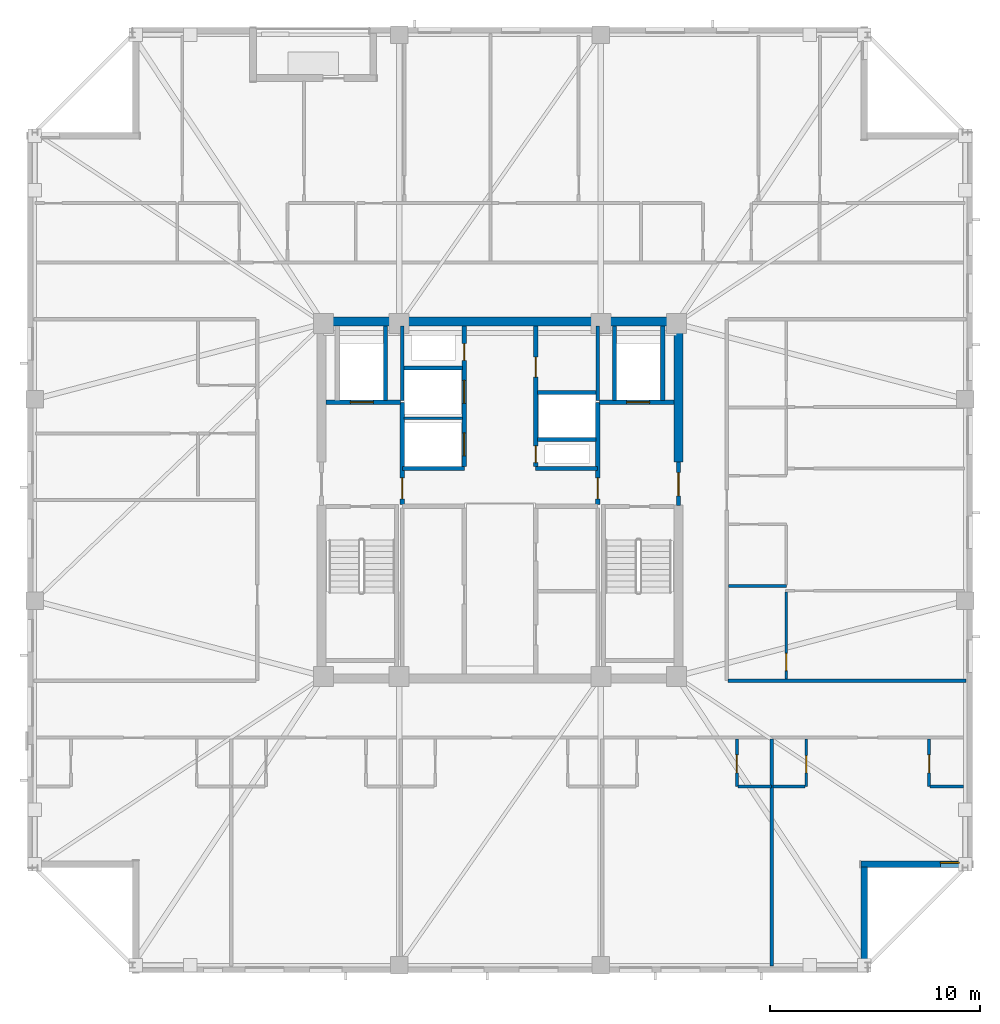
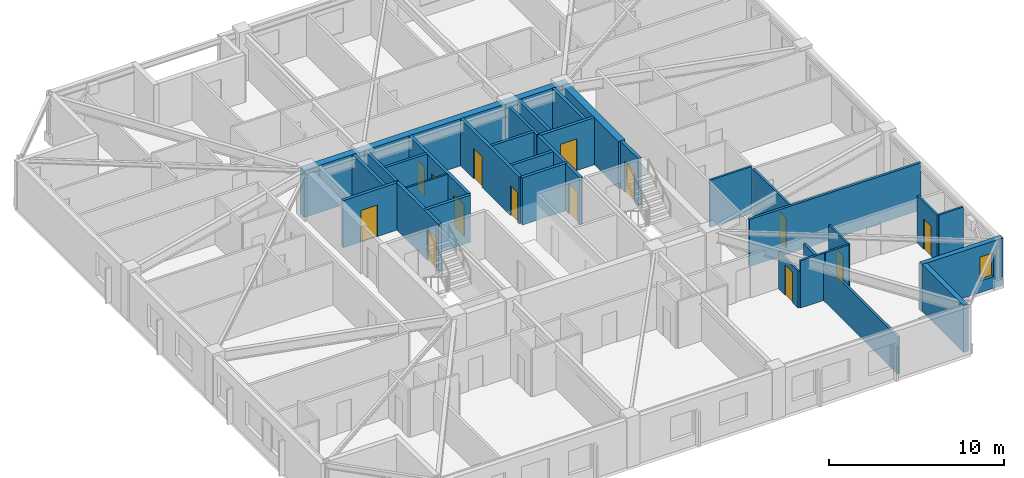
# One storey, part 9 of 17: 32 walls, 14 doors, 1 window, 15 openings.
"""IFC4 building model written with IfcOpenShell, lengths in metres."""

from ifc_helpers import new_model, si_unit, direction, frame, frame_2d, origin, place, context, subcontext, project, spatial, rectangle, extrude, material, layer, layer_set, type_object, element, fill, save


model = new_model("IFC4")

# Units and contexts
model_context = context("Model", 3, precision=1e-05, world=origin(), true_north=direction((0.0, 1.0)))
body_context = subcontext(model_context, "Body", "Model", "MODEL_VIEW")
ifc_project = project(units=[si_unit("LENGTHUNIT", "METRE"), si_unit("AREAUNIT", "SQUARE_METRE"), si_unit("VOLUMEUNIT", "CUBIC_METRE"), si_unit("PLANEANGLEUNIT", "RADIAN"), si_unit("MASSUNIT", "GRAM", prefix="KILO")], contexts=[model_context])

# Site, building, storey
site_placement = place(None, origin())
site = spatial("IfcSite", under=ifc_project, at=site_placement, CompositionType="ELEMENT")
building_placement = place(site_placement, origin())
building = spatial("IfcBuilding", under=site, at=building_placement, Name="Cairnveth Concourse Tower", CompositionType="ELEMENT")
storey_placement = place(building_placement, frame((0.0, 0.0, 220.0)))
storey = spatial("IfcBuildingStorey", under=building, at=storey_placement, Name="L60", CompositionType="ELEMENT", Elevation=220.0)

# Walls
ifc_material_1 = material(Name="Gypsum Plasterboard Partition", Category="gypsum")
ifc_layer_1 = layer(ifc_material_1, 0.159912109375)
ifc_layer_set_1 = layer_set([ifc_layer_1], Name="Gypsum Plasterboard Partition")
wall_type_1 = type_object("IfcWallType", Name="ACOUSTIC PARTY WALL 180", PredefinedType="PARTITIONING", material=ifc_layer_set_1)
wall_1_placement = place(storey_placement, frame((62.864990234375, 30.39990234375, 0.0), z_axis=(0.0, 0.0, 1.0), x_axis=(1.0, 0.0, 0.0)))
element("IfcWall", 1, at=wall_1_placement, inside=storey, type_object=wall_type_1, Name="Interior Wall IW-L60-040", PredefinedType="PARTITIONING", context=body_context, shape_type="SweptSolid", body=[
    extrude(rectangle(XDim=11.330078125, YDim=0.159912109375, at=frame_2d((5.6650390625, 0.0))), origin(), (0.0, 0.0, 1.0), 3.2900390625),
])
wall_2_placement = place(storey_placement, frame((64.93310546875, 16.804931640625, 0.0), z_axis=(0.0, 0.0, 1.0), x_axis=(0.0, 1.0, 0.0)))
element("IfcWall", 2, at=wall_2_placement, inside=storey, type_object=wall_type_1, Name="Interior Wall IW-L60-061", PredefinedType="PARTITIONING", context=body_context, shape_type="SweptSolid", body=[
    extrude(rectangle(XDim=10.80517578125, YDim=0.159912109375, at=frame_2d((5.402587890625, 0.0))), origin(), (0.0, 0.0, 1.0), 2.572998046875),
])
ifc_material_2 = material(Name="Concrete N65 (65 MPa)", Category="concrete")
ifc_layer_2 = layer(ifc_material_2, 0.449951171875)
ifc_layer_set_2 = layer_set([ifc_layer_2], Name="Concrete N65 (65 MPa)")
wall_type_2 = type_object("IfcWallType", Name="CORE SHEAR WALL 450", PredefinedType="SHEAR", material=ifc_layer_set_2)
wall_3_placement = place(storey_placement, frame((43.27490234375, 47.5, 0.0), z_axis=(0.0, 0.0, 1.0), x_axis=(1.0, 0.0, 0.0)))
element("IfcWall", 3, at=wall_3_placement, inside=storey, type_object=wall_type_2, Name="Core North Shear Wall L60", PredefinedType="SHEAR", context=body_context, shape_type="SweptSolid", body=[
    extrude(rectangle(XDim=17.4501953125, YDim=0.449951171875, at=frame_2d((8.72509765625, 0.0))), origin(), (0.0, 0.0, 1.0), 3.2900390625),
])
wall_4_placement = place(storey_placement, frame((60.5, 40.800048828125, 0.0), z_axis=(0.0, 0.0, 1.0), x_axis=(0.0, 1.0, 0.0)))
element("IfcWall", 4, at=wall_4_placement, inside=storey, type_object=wall_type_2, Name="Core East Shear Wall N L60", PredefinedType="SHEAR", context=body_context, shape_type="SweptSolid", body=[
    extrude(rectangle(XDim=6.48486328125, YDim=0.449951171875, at=frame_2d((3.242431640625, 0.0))), origin(), (0.0, 0.0, 1.0), 3.2900390625),
])
ifc_material_3 = material(Name="Concrete N50 (50 MPa)", Category="concrete")
ifc_layer_3 = layer(ifc_material_3, 0.179931640625)
ifc_layer_set_3 = layer_set([ifc_layer_3], Name="Concrete N50 (50 MPa)")
wall_type_3 = type_object("IfcWallType", Name="FIRE SHAFT WALL 180", PredefinedType="SOLIDWALL", material=ifc_layer_set_3)
wall_5_placement = place(storey_placement, frame((47.35009765625, 43.735107421875, 0.0), z_axis=(0.0, 0.0, 1.0), x_axis=(0.0, 1.0, 0.0)))
element("IfcWall", 5, at=wall_5_placement, inside=storey, type_object=wall_type_3, Name="Interior Wall IW-L60-028", PredefinedType="SOLIDWALL", context=body_context, shape_type="SweptSolid", body=[
    extrude(rectangle(XDim=3.554931640625, YDim=0.179931640625, at=frame_2d((1.77734375, 0.0))), origin(), (0.0, 0.0, 1.0), 3.2900390625),
])
wall_6_placement = place(storey_placement, frame((47.425048828125, 45.280029296875, 0.0), z_axis=(0.0, 0.0, 1.0), x_axis=(1.0, 0.0, 0.0)))
element("IfcWall", 6, at=wall_6_placement, inside=storey, type_object=wall_type_3, Name="Interior Wall IW-L60-030", PredefinedType="SOLIDWALL", context=body_context, shape_type="SweptSolid", body=[
    extrude(rectangle(XDim=2.7900390625, YDim=0.179931640625, at=frame_2d((1.39501953125, 0.0))), origin(), (0.0, 0.0, 1.0), 3.2900390625),
])
wall_7_placement = place(storey_placement, frame((56.64990234375, 43.735107421875, 0.0), z_axis=(0.0, 0.0, 1.0), x_axis=(0.0, 1.0, 0.0)))
element("IfcWall", 7, at=wall_7_placement, inside=storey, type_object=wall_type_3, Name="Interior Wall IW-L60-031", PredefinedType="SOLIDWALL", context=body_context, shape_type="SweptSolid", body=[
    extrude(rectangle(XDim=3.554931640625, YDim=0.179931640625, at=frame_2d((1.77734375, 0.0))), origin(), (0.0, 0.0, 1.0), 3.2900390625),
])
wall_8_placement = place(storey_placement, frame((53.784912109375, 41.8798828125, 0.0), z_axis=(0.0, 0.0, 1.0), x_axis=(1.0, 0.0, 0.0)))
element("IfcWall", 8, at=wall_8_placement, inside=storey, type_object=wall_type_3, Name="Interior Wall IW-L60-032", PredefinedType="SOLIDWALL", context=body_context, shape_type="SweptSolid", body=[
    extrude(rectangle(XDim=2.780029296875, YDim=0.179931640625, at=frame_2d((1.39013671875, 0.0))), origin(), (0.0, 0.0, 1.0), 3.2900390625),
])
wall_9_placement = place(storey_placement, frame((53.784912109375, 44.1201171875, 0.0), z_axis=(0.0, 0.0, 1.0), x_axis=(1.0, 0.0, 0.0)))
element("IfcWall", 9, at=wall_9_placement, inside=storey, type_object=wall_type_3, Name="Interior Wall IW-L60-033", PredefinedType="SOLIDWALL", context=body_context, shape_type="SweptSolid", body=[
    extrude(rectangle(XDim=2.7900390625, YDim=0.179931640625, at=frame_2d((1.39501953125, 0.0))), origin(), (0.0, 0.0, 1.0), 3.2900390625),
])
ifc_layer_4 = layer(ifc_material_3, 0.199951171875)
ifc_layer_set_4 = layer_set([ifc_layer_4], Name="Concrete N50 (50 MPa)")
wall_type_4 = type_object("IfcWallType", Name="FIRE SHAFT WALL 200", PredefinedType="SOLIDWALL", material=ifc_layer_set_4)
for number, where, z_axis, x_axis, name in (
    (10, (47.35009765625, 40.5, 0.0), (0.0, 0.0, 1.0), (1.0, 0.0, 0.0), "Interior Wall IW-L60-008"),
    (11, (53.699951171875, 40.5, 0.0), (0.0, 0.0, 1.0), (1.0, 0.0, 0.0), "Interior Wall IW-L60-010"),
):
    element("IfcWall", number, at=place(storey_placement, frame(where, z_axis=z_axis, x_axis=x_axis)), inside=storey, type_object=wall_type_4, Name=name, PredefinedType="SOLIDWALL", context=body_context, shape_type="SweptSolid", body=[
        extrude(rectangle(XDim=2.949951171875, YDim=0.199951171875, at=frame_2d((1.47509765625, 0.0))), origin(), (0.0, 0.0, 1.0), 3.2900390625),
    ])

# Wall, openings, doors
wall_10_placement = place(storey_placement, frame((50.300048828125, 40.5849609375, 0.0), z_axis=(0.0, 0.0, 1.0), x_axis=(0.0, 1.0, 0.0)))
wall_10 = element("IfcWall", 12, at=wall_10_placement, inside=storey, type_object=wall_type_4, Name="Interior Wall IW-L60-013", PredefinedType="SOLIDWALL", context=body_context, shape_type="SweptSolid", body=[
    extrude(rectangle(XDim=6.705078125, YDim=0.199951171875, at=frame_2d((3.3525390625, 0.0))), origin(), (0.0, 0.0, 1.0), 3.2900390625),
])
opening_1_placement = place(wall_10_placement, frame((0.514892578125, 0.0, 0.0)))
opening_1 = element("IfcOpeningElement", 13, at=opening_1_placement, cuts=wall_10, Name="Opening LD-1", PredefinedType="OPENING", context=body_context, shape_type="SweptSolid", body=[
    extrude(rectangle(XDim=1.10009765625, YDim=2.199951171875, at=frame_2d((0.550048828125, 1.10009765625))), frame((0.0, 0.10986328125, 0.0), z_axis=(0.0, -1.0, 0.0), x_axis=(1.0, 0.0, 0.0)), (0.0, 0.0, 1.0), 0.219970703125),
])
opening_2_placement = place(wall_10_placement, frame((3.014892578125, 0.0, 0.0)))
opening_2 = element("IfcOpeningElement", 14, at=opening_2_placement, cuts=wall_10, Name="Opening LD-1", PredefinedType="OPENING", context=body_context, shape_type="SweptSolid", body=[
    extrude(rectangle(XDim=1.10009765625, YDim=2.199951171875, at=frame_2d((0.550048828125, 1.10009765625))), frame((0.0, 0.10986328125, 0.0), z_axis=(0.0, -1.0, 0.0), x_axis=(1.0, 0.0, 0.0)), (0.0, 0.0, 1.0), 0.219970703125),
])
opening_3_placement = place(wall_10_placement, frame((5.06494140625, 0.0, 0.0)))
opening_3 = element("IfcOpeningElement", 15, at=opening_3_placement, cuts=wall_10, Name="Opening ID24", PredefinedType="OPENING", context=body_context, shape_type="SweptSolid", body=[
    extrude(rectangle(XDim=0.800048828125, YDim=2.080078125, at=frame_2d((0.39990234375, 1.0400390625))), frame((0.0, 0.10986328125, 0.0), z_axis=(0.0, -1.0, 0.0), x_axis=(1.0, 0.0, 0.0)), (0.0, 0.0, 1.0), 0.219970703125),
])
ifc_material_4 = material(Name="Architectural Bronze Anodised Aluminium 6063-T6", Category="aluminium")
door_type_1 = type_object("IfcDoorType", Name="LIFT LANDING DOOR 1100X2200", OperationType="SLIDING_TO_LEFT", PredefinedType="DOOR", material=ifc_material_4)
door_1_placement = place(opening_1_placement, origin())
door_1 = element("IfcDoor", 16, at=door_1_placement, inside=storey, type_object=door_type_1, Name="Lift PL7 Landing Door L60", OperationType="SLIDING_TO_LEFT", OverallHeight=2.199951171875, OverallWidth=1.10009765625, PredefinedType="DOOR", context=body_context, shape_type="SweptSolid", body=[
    extrude(rectangle(XDim=1.10009765625, YDim=2.199951171875, at=frame_2d((0.550048828125, 1.10009765625))), frame((0.0, 0.02490234375, 0.0), z_axis=(0.0, -1.0, 0.0), x_axis=(1.0, 0.0, 0.0)), (0.0, 0.0, 1.0), 0.050048828125),
])
fill(opening_1, door_1)
door_2_placement = place(opening_2_placement, origin())
door_2 = element("IfcDoor", 17, at=door_2_placement, inside=storey, type_object=door_type_1, Name="Lift PL8 Landing Door L60", OperationType="SLIDING_TO_LEFT", OverallHeight=2.199951171875, OverallWidth=1.10009765625, PredefinedType="DOOR", context=body_context, shape_type="SweptSolid", body=[
    extrude(rectangle(XDim=1.10009765625, YDim=2.199951171875, at=frame_2d((0.550048828125, 1.10009765625))), frame((0.0, 0.02490234375, 0.0), z_axis=(0.0, -1.0, 0.0), x_axis=(1.0, 0.0, 0.0)), (0.0, 0.0, 1.0), 0.050048828125),
])
fill(opening_2, door_2)
ifc_material_5 = material(Name="Steel Grade 350", Category="steel")
door_type_2 = type_object("IfcDoorType", Name="RISER ACCESS DOOR 800X2100", OperationType="NOTDEFINED", PredefinedType="DOOR", material=ifc_material_5)
door_3_placement = place(opening_3_placement, origin())
door_3 = element("IfcDoor", 18, at=door_3_placement, inside=storey, type_object=door_type_2, Name="NW Electrical Riser Access Door L60", OperationType="SINGLE_SWING_RIGHT", OverallHeight=2.080078125, OverallWidth=0.800048828125, PredefinedType="DOOR", context=body_context, shape_type="SweptSolid", body=[
    extrude(rectangle(XDim=0.800048828125, YDim=2.080078125, at=frame_2d((0.39990234375, 1.0400390625))), frame((0.0, 0.02490234375, 0.0), z_axis=(0.0, -1.0, 0.0), x_axis=(1.0, 0.0, 0.0)), (0.0, 0.0, 1.0), 0.050048828125),
])
fill(opening_3, door_3)

wall_11_placement = place(storey_placement, frame((53.699951171875, 40.5849609375, 0.0), z_axis=(0.0, 0.0, 1.0), x_axis=(0.0, 1.0, 0.0)))
wall_11 = element("IfcWall", 19, at=wall_11_placement, inside=storey, type_object=wall_type_4, Name="Interior Wall IW-L60-014", PredefinedType="SOLIDWALL", context=body_context, shape_type="SweptSolid", body=[
    extrude(rectangle(XDim=6.705078125, YDim=0.199951171875, at=frame_2d((3.3525390625, 0.0))), origin(), (0.0, 0.0, 1.0), 3.2900390625),
])
opening_4_placement = place(wall_11_placement, frame((0.195068359375, 0.0, 0.0)))
opening_4 = element("IfcOpeningElement", 20, at=opening_4_placement, cuts=wall_11, Name="Opening ID24", PredefinedType="OPENING", context=body_context, shape_type="SweptSolid", body=[
    extrude(rectangle(XDim=0.800048828125, YDim=2.080078125, at=frame_2d((0.39990234375, 1.0400390625))), frame((0.0, 0.10986328125, 0.0), z_axis=(0.0, -1.0, 0.0), x_axis=(1.0, 0.0, 0.0)), (0.0, 0.0, 1.0), 0.219970703125),
])
opening_5_placement = place(wall_11_placement, frame((4.264892578125, 0.0, 0.0)))
opening_5 = element("IfcOpeningElement", 21, at=opening_5_placement, cuts=wall_11, Name="Opening ID25", PredefinedType="OPENING", context=body_context, shape_type="SweptSolid", body=[
    extrude(rectangle(XDim=0.949951171875, YDim=2.1201171875, at=frame_2d((0.47509765625, 1.06005859375))), frame((0.0, 0.10986328125, 0.0), z_axis=(0.0, -1.0, 0.0), x_axis=(1.0, 0.0, 0.0)), (0.0, 0.0, 1.0), 0.219970703125),
])
door_type_3 = type_object("IfcDoorType", Name="CORE ACCESSIBLE FIRE DOOR 950X2120", OperationType="NOTDEFINED", PredefinedType="DOOR", material=ifc_material_5)
door_4_placement = place(opening_5_placement, origin())
door_4 = element("IfcDoor", 22, at=door_4_placement, inside=storey, type_object=door_type_3, Name="Core NE Accessible WC Door L60", OperationType="SINGLE_SWING_RIGHT", OverallHeight=2.1201171875, OverallWidth=0.949951171875, PredefinedType="DOOR", context=body_context, shape_type="SweptSolid", body=[
    extrude(rectangle(XDim=0.949951171875, YDim=2.1201171875, at=frame_2d((0.47509765625, 1.06005859375))), frame((0.0, 0.02490234375, 0.0), z_axis=(0.0, -1.0, 0.0), x_axis=(1.0, 0.0, 0.0)), (0.0, 0.0, 1.0), 0.050048828125),
])
fill(opening_5, door_4)
door_5_placement = place(opening_4_placement, origin())
door_5 = element("IfcDoor", 23, at=door_5_placement, inside=storey, type_object=door_type_2, Name="Hydraulic Riser Door L60", OperationType="SINGLE_SWING_LEFT", OverallHeight=2.080078125, OverallWidth=0.800048828125, PredefinedType="DOOR", context=body_context, shape_type="SweptSolid", body=[
    extrude(rectangle(XDim=0.800048828125, YDim=2.080078125, at=frame_2d((0.39990234375, 1.0400390625))), frame((0.0, 0.02490234375, 0.0), z_axis=(0.0, -1.0, 0.0), x_axis=(1.0, 0.0, 0.0)), (0.0, 0.0, 1.0), 0.050048828125),
])
fill(opening_4, door_5)

# Wall, opening, door
wall_12_placement = place(storey_placement, frame((47.35009765625, 38.784912109375, 0.0), z_axis=(0.0, 0.0, 1.0), x_axis=(0.0, 1.0, 0.0)))
wall_12 = element("IfcWall", 24, at=wall_12_placement, inside=storey, type_object=wall_type_4, Name="Interior Wall IW-L60-016", PredefinedType="SOLIDWALL", context=body_context, shape_type="SweptSolid", body=[
    extrude(rectangle(XDim=4.864990234375, YDim=0.199951171875, at=frame_2d((2.4326171875, 0.0))), origin(), (0.0, 0.0, 1.0), 3.2900390625),
])
opening_6_placement = place(wall_12_placement, frame((0.264892578125, 0.0, 0.0)))
opening_6 = element("IfcOpeningElement", 25, at=opening_6_placement, cuts=wall_12, Name="Opening ID07", PredefinedType="OPENING", context=body_context, shape_type="SweptSolid", body=[
    extrude(rectangle(XDim=1.0, YDim=2.14990234375, at=frame_2d((0.5, 1.074951171875))), frame((0.0, 0.10986328125, 0.0), z_axis=(0.0, -1.0, 0.0), x_axis=(1.0, 0.0, 0.0)), (0.0, 0.0, 1.0), 0.219970703125),
])
door_type_4 = type_object("IfcDoorType", Name="FIRE CORRIDOR DOOR 1000X2150", OperationType="NOTDEFINED", PredefinedType="DOOR", material=ifc_material_5)
door_6_placement = place(opening_6_placement, origin())
door_6 = element("IfcDoor", 26, at=door_6_placement, inside=storey, type_object=door_type_4, Name="FF Lobby West to Lift Lobby Door L60", OperationType="SINGLE_SWING_RIGHT", OverallHeight=2.14990234375, OverallWidth=1.0, PredefinedType="DOOR", context=body_context, shape_type="SweptSolid", body=[
    extrude(rectangle(XDim=1.0, YDim=2.14990234375, at=frame_2d((0.5, 1.074951171875))), frame((0.0, 0.02490234375, 0.0), z_axis=(0.0, -1.0, 0.0), x_axis=(1.0, 0.0, 0.0)), (0.0, 0.0, 1.0), 0.050048828125),
])
fill(opening_6, door_6)

wall_13_placement = place(storey_placement, frame((43.7099609375, 43.64990234375, 0.0), z_axis=(0.0, 0.0, 1.0), x_axis=(1.0, 0.0, 0.0)))
wall_13 = element("IfcWall", 27, at=wall_13_placement, inside=storey, type_object=wall_type_4, Name="Interior Wall IW-L60-017", PredefinedType="SOLIDWALL", context=body_context, shape_type="SweptSolid", body=[
    extrude(rectangle(XDim=3.554931640625, YDim=0.199951171875, at=frame_2d((1.77734375, 0.0))), origin(), (0.0, 0.0, 1.0), 3.2900390625),
])
opening_7_placement = place(wall_13_placement, frame((1.159912109375, 0.0, 0.0)))
opening_7 = element("IfcOpeningElement", 28, at=opening_7_placement, cuts=wall_13, Name="Opening LD-1", PredefinedType="OPENING", context=body_context, shape_type="SweptSolid", body=[
    extrude(rectangle(XDim=1.10009765625, YDim=2.199951171875, at=frame_2d((0.550048828125, 1.10009765625))), frame((0.0, 0.10986328125, 0.0), z_axis=(0.0, -1.0, 0.0), x_axis=(1.0, 0.0, 0.0)), (0.0, 0.0, 1.0), 0.219970703125),
])
door_7_placement = place(opening_7_placement, origin())
door_7 = element("IfcDoor", 29, at=door_7_placement, inside=storey, type_object=door_type_1, Name="Lift FFL1 Landing Door L60", OperationType="SLIDING_TO_LEFT", OverallHeight=2.199951171875, OverallWidth=1.10009765625, PredefinedType="DOOR", context=body_context, shape_type="SweptSolid", body=[
    extrude(rectangle(XDim=1.10009765625, YDim=2.199951171875, at=frame_2d((0.550048828125, 1.10009765625))), frame((0.0, 0.02490234375, 0.0), z_axis=(0.0, -1.0, 0.0), x_axis=(1.0, 0.0, 0.0)), (0.0, 0.0, 1.0), 0.050048828125),
])
fill(opening_7, door_7)

# Wall
wall_14_placement = place(storey_placement, frame((46.550048828125, 43.735107421875, 0.0), z_axis=(0.0, 0.0, 1.0), x_axis=(0.0, 1.0, 0.0)))
element("IfcWall", 30, at=wall_14_placement, inside=storey, type_object=wall_type_4, Name="Interior Wall IW-L60-018", PredefinedType="SOLIDWALL", context=body_context, shape_type="SweptSolid", body=[
    extrude(rectangle(XDim=3.554931640625, YDim=0.199951171875, at=frame_2d((1.77734375, 0.0))), origin(), (0.0, 0.0, 1.0), 3.2900390625),
])

# Wall, opening, door
wall_15_placement = place(storey_placement, frame((60.5, 38.75, 0.0), z_axis=(0.0, 0.0, 1.0), x_axis=(0.0, 1.0, 0.0)))
wall_15 = element("IfcWall", 31, at=wall_15_placement, inside=storey, type_object=wall_type_4, Name="Interior Wall IW-L60-020", PredefinedType="SOLIDWALL", context=body_context, shape_type="SweptSolid", body=[
    extrude(rectangle(XDim=2.050048828125, YDim=0.199951171875, at=frame_2d((1.02490234375, 0.0))), origin(), (0.0, 0.0, 1.0), 3.2900390625),
])
opening_8_placement = place(wall_15_placement, frame((0.449951171875, 0.0, 0.0)))
opening_8 = element("IfcOpeningElement", 32, at=opening_8_placement, cuts=wall_15, Name="Opening ID06", PredefinedType="OPENING", context=body_context, shape_type="SweptSolid", body=[
    extrude(rectangle(XDim=1.10009765625, YDim=2.14990234375, at=frame_2d((0.550048828125, 1.074951171875))), frame((0.0, 0.10986328125, 0.0), z_axis=(0.0, -1.0, 0.0), x_axis=(1.0, 0.0, 0.0)), (0.0, 0.0, 1.0), 0.219970703125),
])
door_type_5 = type_object("IfcDoorType", Name="FIRE CORRIDOR DOOR 1100X2150", OperationType="NOTDEFINED", PredefinedType="DOOR", material=ifc_material_5)
door_8_placement = place(opening_8_placement, origin())
door_8 = element("IfcDoor", 33, at=door_8_placement, inside=storey, type_object=door_type_5, Name="East Wing to FF Lobby Door L60", OperationType="SINGLE_SWING_RIGHT", OverallHeight=2.14990234375, OverallWidth=1.10009765625, PredefinedType="DOOR", context=body_context, shape_type="SweptSolid", body=[
    extrude(rectangle(XDim=1.10009765625, YDim=2.14990234375, at=frame_2d((0.550048828125, 1.074951171875))), frame((0.0, 0.02490234375, 0.0), z_axis=(0.0, -1.0, 0.0), x_axis=(1.0, 0.0, 0.0)), (0.0, 0.0, 1.0), 0.050048828125),
])
fill(opening_8, door_8)

wall_16_placement = place(storey_placement, frame((56.64990234375, 38.784912109375, 0.0), z_axis=(0.0, 0.0, 1.0), x_axis=(0.0, 1.0, 0.0)))
wall_16 = element("IfcWall", 34, at=wall_16_placement, inside=storey, type_object=wall_type_4, Name="Interior Wall IW-L60-021", PredefinedType="SOLIDWALL", context=body_context, shape_type="SweptSolid", body=[
    extrude(rectangle(XDim=4.864990234375, YDim=0.199951171875, at=frame_2d((2.4326171875, 0.0))), origin(), (0.0, 0.0, 1.0), 3.2900390625),
])
opening_9_placement = place(wall_16_placement, frame((0.264892578125, 0.0, 0.0)))
opening_9 = element("IfcOpeningElement", 35, at=opening_9_placement, cuts=wall_16, Name="Opening ID07", PredefinedType="OPENING", context=body_context, shape_type="SweptSolid", body=[
    extrude(rectangle(XDim=1.0, YDim=2.14990234375, at=frame_2d((0.5, 1.074951171875))), frame((0.0, 0.10986328125, 0.0), z_axis=(0.0, -1.0, 0.0), x_axis=(1.0, 0.0, 0.0)), (0.0, 0.0, 1.0), 0.219970703125),
])
door_9_placement = place(opening_9_placement, origin())
door_9 = element("IfcDoor", 36, at=door_9_placement, inside=storey, type_object=door_type_4, Name="FF Lobby East to Lift Lobby Door L60", OperationType="SINGLE_SWING_LEFT", OverallHeight=2.14990234375, OverallWidth=1.0, PredefinedType="DOOR", context=body_context, shape_type="SweptSolid", body=[
    extrude(rectangle(XDim=1.0, YDim=2.14990234375, at=frame_2d((0.5, 1.074951171875))), frame((0.0, 0.02490234375, 0.0), z_axis=(0.0, -1.0, 0.0), x_axis=(1.0, 0.0, 0.0)), (0.0, 0.0, 1.0), 0.050048828125),
])
fill(opening_9, door_9)

wall_17_placement = place(storey_placement, frame((56.735107421875, 43.64990234375, 0.0), z_axis=(0.0, 0.0, 1.0), x_axis=(1.0, 0.0, 0.0)))
wall_17 = element("IfcWall", 37, at=wall_17_placement, inside=storey, type_object=wall_type_4, Name="Interior Wall IW-L60-022", PredefinedType="SOLIDWALL", context=body_context, shape_type="SweptSolid", body=[
    extrude(rectangle(XDim=3.554931640625, YDim=0.199951171875, at=frame_2d((1.77734375, 0.0))), origin(), (0.0, 0.0, 1.0), 3.2900390625),
])
opening_10_placement = place(wall_17_placement, frame((1.294921875, 0.0, 0.0)))
opening_10 = element("IfcOpeningElement", 38, at=opening_10_placement, cuts=wall_17, Name="Opening LD-1", PredefinedType="OPENING", context=body_context, shape_type="SweptSolid", body=[
    extrude(rectangle(XDim=1.10009765625, YDim=2.199951171875, at=frame_2d((0.550048828125, 1.10009765625))), frame((0.0, 0.10986328125, 0.0), z_axis=(0.0, -1.0, 0.0), x_axis=(1.0, 0.0, 0.0)), (0.0, 0.0, 1.0), 0.219970703125),
])
door_10_placement = place(opening_10_placement, origin())
door_10 = element("IfcDoor", 39, at=door_10_placement, inside=storey, type_object=door_type_1, Name="Lift FFL2 Landing Door L60", OperationType="SLIDING_TO_LEFT", OverallHeight=2.199951171875, OverallWidth=1.10009765625, PredefinedType="DOOR", context=body_context, shape_type="SweptSolid", body=[
    extrude(rectangle(XDim=1.10009765625, YDim=2.199951171875, at=frame_2d((0.550048828125, 1.10009765625))), frame((0.0, 0.02490234375, 0.0), z_axis=(0.0, -1.0, 0.0), x_axis=(1.0, 0.0, 0.0)), (0.0, 0.0, 1.0), 0.050048828125),
])
fill(opening_10, door_10)

# Walls
for number, where, z_axis, x_axis, name in (
    (40, (57.449951171875, 43.735107421875, 0.0), (0.0, 0.0, 1.0), (0.0, 1.0, 0.0), "Interior Wall IW-L60-023"),
    (41, (59.75, 43.735107421875, 0.0), (0.0, 0.0, 1.0), (0.0, 1.0, 0.0), "Interior Wall IW-L60-024"),
):
    element("IfcWall", number, at=place(storey_placement, frame(where, z_axis=z_axis, x_axis=x_axis)), inside=storey, type_object=wall_type_4, Name=name, PredefinedType="SOLIDWALL", context=body_context, shape_type="SweptSolid", body=[
        extrude(rectangle(XDim=3.554931640625, YDim=0.199951171875, at=frame_2d((1.77734375, 0.0))), origin(), (0.0, 0.0, 1.0), 3.2900390625),
    ])

# Wall, opening, door
ifc_layer_5 = layer(ifc_material_1, 0.139892578125)
ifc_layer_set_5 = layer_set([ifc_layer_5], Name="Gypsum Plasterboard Partition")
wall_type_5 = type_object("IfcWallType", Name="GYPSUM STUD PARTITION 140", PredefinedType="PARTITIONING", material=ifc_layer_set_5)
wall_18_placement = place(storey_placement, frame((65.6298828125, 30.465087890625, 0.0), z_axis=(0.0, 0.0, 1.0), x_axis=(0.0, 1.0, 0.0)))
wall_18 = element("IfcWall", 42, at=wall_18_placement, inside=storey, type_object=wall_type_5, Name="Interior Wall IW-L60-102", PredefinedType="PARTITIONING", context=body_context, shape_type="SweptSolid", body=[
    extrude(rectangle(XDim=4.159912109375, YDim=0.139892578125, at=frame_2d((2.080078125, 0.0))), origin(), (0.0, 0.0, 1.0), 3.2900390625),
])
opening_11_placement = place(wall_18_placement, frame((0.4150390625, 0.0, 0.0)))
opening_11 = element("IfcOpeningElement", 43, at=opening_11_placement, cuts=wall_18, Name="Opening ID22", PredefinedType="OPENING", context=body_context, shape_type="SweptSolid", body=[
    extrude(rectangle(XDim=0.820068359375, YDim=2.10009765625, at=frame_2d((0.41015625, 1.050048828125))), frame((0.0, 0.079833984375, 0.0), z_axis=(0.0, -1.0, 0.0), x_axis=(1.0, 0.0, 0.0)), (0.0, 0.0, 1.0), 0.159912109375),
])
ifc_material_6 = material(Name="Solid Core Hardwood Timber Leaf", Category="wood")
door_type_6 = type_object("IfcDoorType", Name="INTERIOR WC DOOR 820X2100", OperationType="NOTDEFINED", PredefinedType="DOOR", material=ifc_material_6)
door_11_placement = place(opening_11_placement, origin())
door_11 = element("IfcDoor", 44, at=door_11_placement, inside=storey, type_object=door_type_6, Name="L60E1 Dressing Door", OperationType="SINGLE_SWING_LEFT", OverallHeight=2.10009765625, OverallWidth=0.820068359375, PredefinedType="DOOR", context=body_context, shape_type="SweptSolid", body=[
    extrude(rectangle(XDim=0.820068359375, YDim=2.10009765625, at=frame_2d((0.41015625, 1.050048828125))), frame((0.0, 0.02490234375, 0.0), z_axis=(0.0, -1.0, 0.0), x_axis=(1.0, 0.0, 0.0)), (0.0, 0.0, 1.0), 0.050048828125),
])
fill(opening_11, door_11)

# Wall
ifc_layer_6 = layer(ifc_material_1, 0.110107421875)
ifc_layer_set_6 = layer_set([ifc_layer_6], Name="Gypsum Plasterboard Partition")
wall_type_6 = type_object("IfcWallType", Name="SHAFT DIVIDER WALL 140", PredefinedType="PARTITIONING", material=ifc_layer_set_6)
wall_19_placement = place(storey_placement, frame((47.43505859375, 42.89990234375, 0.0), z_axis=(0.0, 0.0, 1.0), x_axis=(1.0, 0.0, 0.0)))
element("IfcWall", 45, at=wall_19_placement, inside=storey, type_object=wall_type_6, Name="Interior Wall IW-L60-029", PredefinedType="PARTITIONING", context=body_context, shape_type="SweptSolid", body=[
    extrude(rectangle(XDim=2.780029296875, YDim=0.110107421875, at=frame_2d((1.39013671875, 0.0))), origin(), (0.0, 0.0, 1.0), 3.2900390625),
])

# Wall, opening, door
ifc_layer_7 = layer(ifc_material_1, 0.1298828125)
ifc_layer_set_7 = layer_set([ifc_layer_7], Name="Gypsum Plasterboard Partition")
wall_type_7 = type_object("IfcWallType", Name="WET AREA PARTITION 140", PredefinedType="PLUMBINGWALL", material=ifc_layer_set_7)
wall_20_placement = place(storey_placement, frame((63.282958984375, 25.360107421875, 0.0), z_axis=(0.0, 0.0, 1.0), x_axis=(0.0, 1.0, 0.0)))
wall_20 = element("IfcWall", 46, at=wall_20_placement, inside=storey, type_object=wall_type_7, Name="Interior Wall IW-L60-059", PredefinedType="PLUMBINGWALL", context=body_context, shape_type="SweptSolid", body=[
    extrude(rectangle(XDim=2.25, YDim=0.1298828125, at=frame_2d((1.125, 0.0))), origin(), (0.0, 0.0, 1.0), 2.572998046875),
])
opening_12_placement = place(wall_20_placement, frame((0.64990234375, 0.0, 0.0)))
opening_12 = element("IfcOpeningElement", 47, at=opening_12_placement, cuts=wall_20, Name="Opening ID20", PredefinedType="OPENING", context=body_context, shape_type="SweptSolid", body=[
    extrude(rectangle(XDim=0.85009765625, YDim=2.10009765625, at=frame_2d((0.425048828125, 1.050048828125))), frame((0.0, 0.074951171875, 0.0), z_axis=(0.0, -1.0, 0.0), x_axis=(1.0, 0.0, 0.0)), (0.0, 0.0, 1.0), 0.14990234375),
])
door_type_7 = type_object("IfcDoorType", Name="INTERIOR SINGLE DOOR 850X2100", OperationType="NOTDEFINED", PredefinedType="DOOR", material=ifc_material_6)
door_12_placement = place(opening_12_placement, origin())
door_12 = element("IfcDoor", 48, at=door_12_placement, inside=storey, type_object=door_type_7, Name="L60STS4 Kitchen Door", OperationType="SINGLE_SWING_LEFT", OverallHeight=2.10009765625, OverallWidth=0.85009765625, PredefinedType="DOOR", context=body_context, shape_type="SweptSolid", body=[
    extrude(rectangle(XDim=0.85009765625, YDim=2.10009765625, at=frame_2d((0.425048828125, 1.050048828125))), frame((0.0, 0.02490234375, 0.0), z_axis=(0.0, -1.0, 0.0), x_axis=(1.0, 0.0, 0.0)), (0.0, 0.0, 1.0), 0.050048828125),
])
fill(opening_12, door_12)

# Wall
wall_21_placement = place(storey_placement, frame((63.3330078125, 25.360107421875, 0.0), z_axis=(0.0, 0.0, 1.0), x_axis=(1.0, 0.0, 0.0)))
element("IfcWall", 49, at=wall_21_placement, inside=storey, type_object=wall_type_7, Name="Interior Wall IW-L60-060", PredefinedType="PLUMBINGWALL", context=body_context, shape_type="SweptSolid", body=[
    extrude(rectangle(XDim=1.60009765625, YDim=0.1298828125, at=frame_2d((0.800048828125, 0.0))), origin(), (0.0, 0.0, 1.0), 3.2900390625),
])

# Wall, opening, door
wall_22_placement = place(storey_placement, frame((66.5830078125, 25.360107421875, 0.0), z_axis=(0.0, 0.0, 1.0), x_axis=(0.0, 1.0, 0.0)))
wall_22 = element("IfcWall", 50, at=wall_22_placement, inside=storey, type_object=wall_type_7, Name="Interior Wall IW-L60-062", PredefinedType="PLUMBINGWALL", context=body_context, shape_type="SweptSolid", body=[
    extrude(rectangle(XDim=2.25, YDim=0.1298828125, at=frame_2d((1.125, 0.0))), origin(), (0.0, 0.0, 1.0), 3.2900390625),
])
opening_13_placement = place(wall_22_placement, frame((0.64990234375, 0.0, 0.0)))
opening_13 = element("IfcOpeningElement", 51, at=opening_13_placement, cuts=wall_22, Name="Opening ID22", PredefinedType="OPENING", context=body_context, shape_type="SweptSolid", body=[
    extrude(rectangle(XDim=0.820068359375, YDim=2.10009765625, at=frame_2d((0.41015625, 1.050048828125))), frame((0.0, 0.074951171875, 0.0), z_axis=(0.0, -1.0, 0.0), x_axis=(1.0, 0.0, 0.0)), (0.0, 0.0, 1.0), 0.14990234375),
])
door_13_placement = place(opening_13_placement, origin())
door_13 = element("IfcDoor", 52, at=door_13_placement, inside=storey, type_object=door_type_6, Name="L60STS5 Bathroom Door", OperationType="SINGLE_SWING_LEFT", OverallHeight=2.10009765625, OverallWidth=0.820068359375, PredefinedType="DOOR", context=body_context, shape_type="SweptSolid", body=[
    extrude(rectangle(XDim=0.820068359375, YDim=2.10009765625, at=frame_2d((0.41015625, 1.050048828125))), frame((0.0, 0.02490234375, 0.0), z_axis=(0.0, -1.0, 0.0), x_axis=(1.0, 0.0, 0.0)), (0.0, 0.0, 1.0), 0.050048828125),
])
fill(opening_13, door_13)

# Wall
wall_23_placement = place(storey_placement, frame((64.998046875, 25.360107421875, 0.0), z_axis=(0.0, 0.0, 1.0), x_axis=(1.0, 0.0, 0.0)))
element("IfcWall", 53, at=wall_23_placement, inside=storey, type_object=wall_type_7, Name="Interior Wall IW-L60-063", PredefinedType="PLUMBINGWALL", context=body_context, shape_type="SweptSolid", body=[
    extrude(rectangle(XDim=1.534912109375, YDim=0.1298828125, at=frame_2d((0.767578125, 0.0))), origin(), (0.0, 0.0, 1.0), 3.2900390625),
])

# Wall, opening, door
wall_24_placement = place(storey_placement, frame((72.429931640625, 25.360107421875, 0.0), z_axis=(0.0, 0.0, 1.0), x_axis=(0.0, 1.0, 0.0)))
wall_24 = element("IfcWall", 54, at=wall_24_placement, inside=storey, type_object=wall_type_7, Name="Interior Wall IW-L60-064", PredefinedType="PLUMBINGWALL", context=body_context, shape_type="SweptSolid", body=[
    extrude(rectangle(XDim=2.25, YDim=0.1298828125, at=frame_2d((1.125, 0.0))), origin(), (0.0, 0.0, 1.0), 3.2900390625),
])
opening_14_placement = place(wall_24_placement, frame((0.64990234375, 0.0, 0.0)))
opening_14 = element("IfcOpeningElement", 55, at=opening_14_placement, cuts=wall_24, Name="Opening ID20", PredefinedType="OPENING", context=body_context, shape_type="SweptSolid", body=[
    extrude(rectangle(XDim=0.85009765625, YDim=2.10009765625, at=frame_2d((0.425048828125, 1.050048828125))), frame((0.0, 0.074951171875, 0.0), z_axis=(0.0, -1.0, 0.0), x_axis=(1.0, 0.0, 0.0)), (0.0, 0.0, 1.0), 0.14990234375),
])
door_14_placement = place(opening_14_placement, origin())
door_14 = element("IfcDoor", 56, at=door_14_placement, inside=storey, type_object=door_type_7, Name="L60STS5 Kitchen Door", OperationType="SINGLE_SWING_RIGHT", OverallHeight=2.10009765625, OverallWidth=0.85009765625, PredefinedType="DOOR", context=body_context, shape_type="SweptSolid", body=[
    extrude(rectangle(XDim=0.85009765625, YDim=2.10009765625, at=frame_2d((0.425048828125, 1.050048828125))), frame((0.0, 0.02490234375, 0.0), z_axis=(0.0, -1.0, 0.0), x_axis=(1.0, 0.0, 0.0)), (0.0, 0.0, 1.0), 0.050048828125),
])
fill(opening_14, door_14)

# Walls
wall_25_placement = place(storey_placement, frame((72.47998046875, 25.360107421875, 0.0), z_axis=(0.0, 0.0, 1.0), x_axis=(1.0, 0.0, 0.0)))
element("IfcWall", 57, at=wall_25_placement, inside=storey, type_object=wall_type_7, Name="Interior Wall IW-L60-065", PredefinedType="PLUMBINGWALL", context=body_context, shape_type="SweptSolid", body=[
    extrude(rectangle(XDim=1.60009765625, YDim=0.1298828125, at=frame_2d((0.800048828125, 0.0))), origin(), (0.0, 0.0, 1.0), 3.2900390625),
])
wall_26_placement = place(storey_placement, frame((62.8798828125, 34.89990234375, 0.0), z_axis=(0.0, 0.0, 1.0), x_axis=(1.0, 0.0, 0.0)))
element("IfcWall", 58, at=wall_26_placement, inside=storey, type_object=wall_type_7, Name="Interior Wall IW-L60-095", PredefinedType="PLUMBINGWALL", context=body_context, shape_type="SweptSolid", body=[
    extrude(rectangle(XDim=2.75, YDim=0.1298828125, at=frame_2d((1.375, 0.0))), origin(), (0.0, 0.0, 1.0), 3.2900390625),
])

# Wall, opening, window
ifc_material_7 = material(Name="Melbourne Buff Fired Clay Brick Masonry", Category="masonry")
ifc_layer_8 = layer(ifc_material_7, 0.320068359375)
ifc_layer_set_8 = layer_set([ifc_layer_8], Name="Melbourne Buff Fired Clay Brick Masonry")
wall_type_8 = type_object("IfcWallType", Name="ZONE 3 BRICK PIER SPANDREL WALL 320", PredefinedType="SOLIDWALL", material=ifc_layer_set_8)
wall_27_placement = place(storey_placement, frame((74.5, 21.659912109375, 0.0), z_axis=(0.0, 0.0, 1.0), x_axis=(-1.0, 0.0, 0.0)))
wall_27 = element("IfcWall", 59, at=wall_27_placement, inside=storey, type_object=wall_type_8, Name="Exterior Wall EW-L60-S04", PredefinedType="SOLIDWALL", context=body_context, shape_type="SweptSolid", body=[
    extrude(rectangle(XDim=5.320068359375, YDim=0.320068359375, at=frame_2d((2.66015625, 0.0))), origin(), (0.0, 0.0, 1.0), 3.2900390625),
])
opening_15_placement = place(wall_27_placement, frame((0.6298828125, 0.0, 0.800048828125)))
opening_15 = element("IfcOpeningElement", 60, at=opening_15_placement, cuts=wall_27, Name="Opening W13", PredefinedType="OPENING", context=body_context, shape_type="SweptSolid", body=[
    extrude(rectangle(XDim=0.89990234375, YDim=1.677978515625, at=frame_2d((0.449951171875, 0.8388671875))), frame((0.0, 0.169921875, 0.0), z_axis=(0.0, -1.0, 0.0), x_axis=(1.0, 0.0, 0.0)), (0.0, 0.0, 1.0), 0.340087890625),
])
ifc_material_8 = material(Name="Double Glazed Low-E Clear Glass", Category="glass")
window_type = type_object("IfcWindowType", Name="DEEP-SET BEDROOM LANCET WINDOW 900X1750", PartitioningType="DOUBLE_PANEL_VERTICAL", PredefinedType="WINDOW", material=ifc_material_8)
window_placement = place(opening_15_placement, origin())
window = element("IfcWindow", 61, at=window_placement, inside=storey, type_object=window_type, Name="Dwelling Lancet Window L60-DW2", OverallHeight=1.677978515625, OverallWidth=0.89990234375, PartitioningType="SINGLE_PANEL", PredefinedType="WINDOW", context=body_context, shape_type="SweptSolid", body=[
    extrude(rectangle(XDim=0.89990234375, YDim=1.677978515625, at=frame_2d((0.449951171875, 0.8388671875))), frame((0.0, -0.0400390625, 0.0), z_axis=(0.0, -1.0, 0.0), x_axis=(1.0, 0.0, 0.0)), (0.0, 0.0, 1.0), 0.06005859375),
])
fill(opening_15, window)

# Wall
wall_28_placement = place(storey_placement, frame((69.340087890625, 21.52197265625, 0.0), z_axis=(0.0, 0.0, 1.0), x_axis=(0.0, -1.0, 0.0)))
element("IfcWall", 62, at=wall_28_placement, inside=storey, type_object=wall_type_8, Name="Exterior Wall EW-L60-S05", PredefinedType="SOLIDWALL", context=body_context, shape_type="SweptSolid", body=[
    extrude(rectangle(XDim=4.723876953125, YDim=0.320068359375, at=frame_2d((2.36181640625, 0.0))), origin(), (0.0, 0.0, 1.0), 3.2900390625),
])

save(model, "model.ifc")
